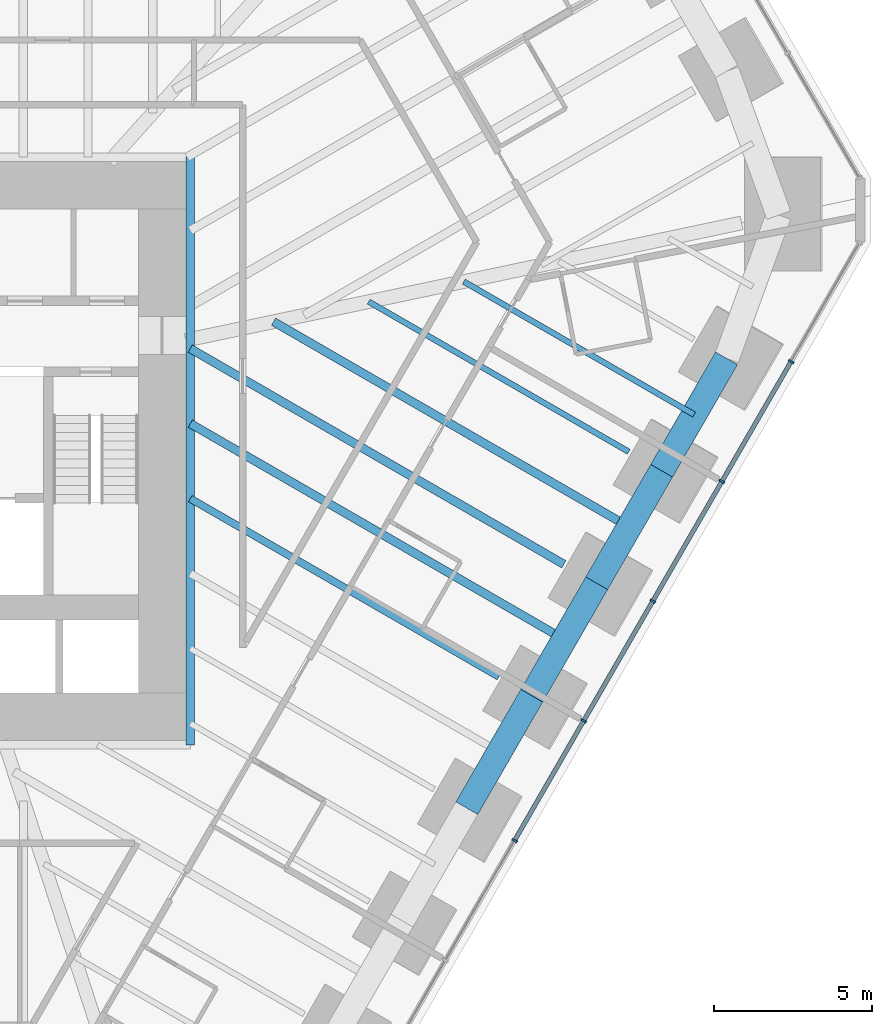
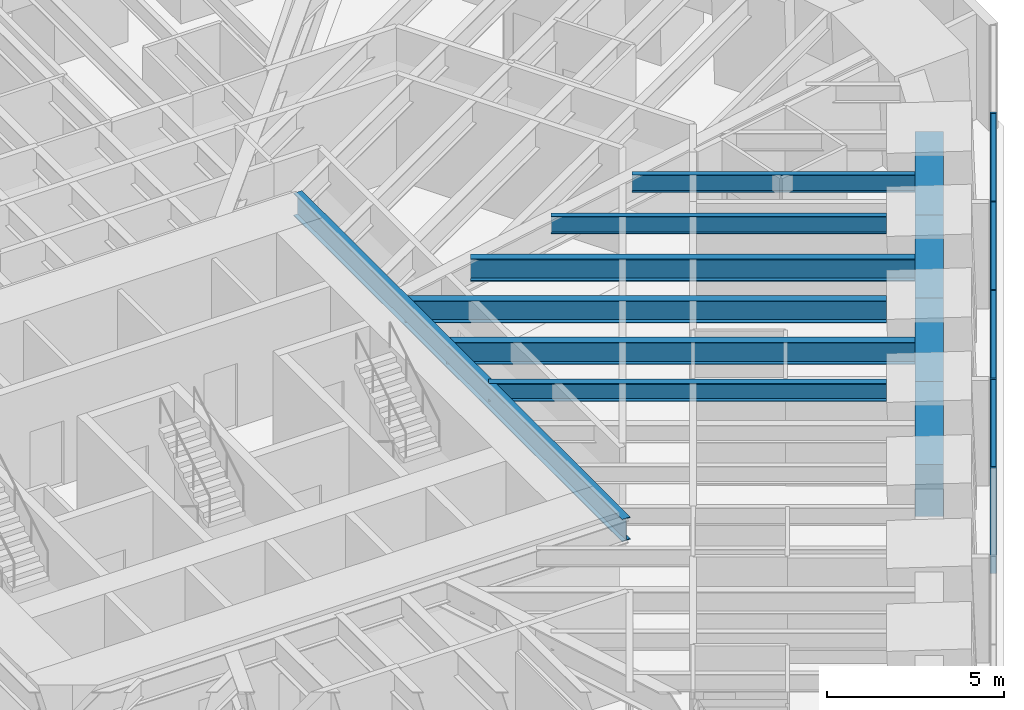
# One storey, part 6 of 17: 11 beams, 9 members, 1 element without a shape of its own.
"""IFC4 building model written with IfcOpenShell, lengths in metres."""

from ifc_helpers import new_model, si_unit, direction, frame, origin, origin_2d, place, context, subcontext, project, spatial, rectangle, i_section, extrude, material, material_profile, profile_set, type_object, element, aggregate, save


model = new_model("IFC4")

# Units and contexts
model_context = context("Model", 3, precision=1e-05, world=origin(), true_north=direction((0.0, 1.0)))
body_context = subcontext(model_context, "Body", "Model", "MODEL_VIEW")
ifc_project = project(units=[si_unit("LENGTHUNIT", "METRE"), si_unit("AREAUNIT", "SQUARE_METRE"), si_unit("VOLUMEUNIT", "CUBIC_METRE"), si_unit("PLANEANGLEUNIT", "RADIAN"), si_unit("MASSUNIT", "GRAM", prefix="KILO")], contexts=[model_context])

# Site, building, storey
site_placement = place(None, origin())
site = spatial("IfcSite", under=ifc_project, at=site_placement, CompositionType="ELEMENT")
building_placement = place(site_placement, origin())
building = spatial("IfcBuilding", under=site, at=building_placement, Name="Sandreach Pilgrim Tower", CompositionType="ELEMENT")
storey_placement = place(building_placement, frame((0.0, 0.0, 68.60009765625)))
storey = spatial("IfcBuildingStorey", under=building, at=storey_placement, Name="L16", CompositionType="ELEMENT", Elevation=68.60009765625)

# Curtain wall, members
ifc_material_1 = material(Name="Aluminium framed curtain wall", Category="aluminium")
curtain_wall_type = type_object("IfcCurtainWallType", Name="Hostel tower curtain wall", PredefinedType="NOTDEFINED", material=ifc_material_1)
curtain_wall_placement = place(storey_placement, origin())
curtain_wall = element("IfcCurtainWall", 1, at=curtain_wall_placement, inside=storey, type_object=curtain_wall_type, Name="CW-1 L16 SE", PredefinedType="NOTDEFINED")
ifc_material_2 = material(Name="Aluminium extrusion", Category="aluminium")
ifc_material_profile_1 = material_profile(ifc_material_2, rectangle(XDim=0.06494140625, YDim=0.179931640625, at=origin_2d()), Name="CW-1M 65X180")
ifc_profile_set_1 = profile_set([ifc_material_profile_1], Name="Aluminium extrusion")
member_type_1 = type_object("IfcMemberType", Name="CW-1 mullion", PredefinedType="MULLION", material=ifc_profile_set_1)
member_1_placement = place(storey_placement, frame((28.390380859375, 1.2763671875, 0.0), z_axis=(0.0, 0.0, 1.0), x_axis=(-0.5, -0.866025403784, 0.0)))
member_1 = element("IfcMember", 2, at=member_1_placement, type_object=member_type_1, Name="CW-1 mullion 2", PredefinedType="MULLION", context=body_context, shape_type="SweptSolid", body=[
    extrude(rectangle(XDim=0.06494140625, YDim=0.179931640625, at=origin_2d()), origin(), (0.0, 0.0, 1.0), 3.639892578125),
])
member_2_placement = place(storey_placement, frame((26.20458984375, -2.509521484375, 0.0), z_axis=(0.0, 0.0, 1.0), x_axis=(-0.5, -0.866025403784, 0.0)))
member_2 = element("IfcMember", 3, at=member_2_placement, type_object=member_type_1, Name="CW-1 mullion 3", PredefinedType="MULLION", context=body_context, shape_type="SweptSolid", body=[
    extrude(rectangle(XDim=0.06494140625, YDim=0.179931640625, at=origin_2d()), origin(), (0.0, 0.0, 1.0), 3.639892578125),
])
member_3_placement = place(storey_placement, frame((24.018798828125, -6.29541015625, 0.0), z_axis=(0.0, 0.0, 1.0), x_axis=(-0.5, -0.866025403784, 0.0)))
member_3 = element("IfcMember", 4, at=member_3_placement, type_object=member_type_1, Name="CW-1 mullion 4", PredefinedType="MULLION", context=body_context, shape_type="SweptSolid", body=[
    extrude(rectangle(XDim=0.06494140625, YDim=0.179931640625, at=origin_2d()), origin(), (0.0, 0.0, 1.0), 3.639892578125),
])
member_4_placement = place(storey_placement, frame((21.8330078125, -10.081298828125, 0.0), z_axis=(0.0, 0.0, 1.0), x_axis=(-0.5, -0.866025403784, 0.0)))
member_4 = element("IfcMember", 5, at=member_4_placement, type_object=member_type_1, Name="CW-1 mullion 5", PredefinedType="MULLION", context=body_context, shape_type="SweptSolid", body=[
    extrude(rectangle(XDim=0.06494140625, YDim=0.179931640625, at=origin_2d()), origin(), (0.0, 0.0, 1.0), 3.639892578125),
])
member_5_placement = place(storey_placement, frame((19.647216796875, -13.8671875, 0.0), z_axis=(0.0, 0.0, 1.0), x_axis=(-0.5, -0.866025403784, 0.0)))
member_5 = element("IfcMember", 6, at=member_5_placement, type_object=member_type_1, Name="CW-1 mullion 6", PredefinedType="MULLION", context=body_context, shape_type="SweptSolid", body=[
    extrude(rectangle(XDim=0.06494140625, YDim=0.179931640625, at=origin_2d()), origin(), (0.0, 0.0, 1.0), 3.639892578125),
])
ifc_material_3 = material(Name="Aluminium extrusion", Category="aluminium")
ifc_material_profile_2 = material_profile(ifc_material_3, rectangle(XDim=0.139892578125, YDim=0.070068359375, at=origin_2d()), Name="CW-1T 140X70")
ifc_profile_set_2 = profile_set([ifc_material_profile_2], Name="Aluminium extrusion")
member_type_2 = type_object("IfcMemberType", Name="CW-1 transom", PredefinedType="USERDEFINED", material=ifc_profile_set_2)
member_6_placement = place(storey_placement, frame((28.374267578125, 1.248046875, 3.60498046875), z_axis=(-0.500016891966, -0.866015650984, 0.0), x_axis=(0.866015650984, -0.500016891966, 0.0)))
member_6 = element("IfcMember", 7, at=member_6_placement, type_object=member_type_2, Name="CW-1 head transom 2", ObjectType="TRANSOM", PredefinedType="USERDEFINED", context=body_context, shape_type="SweptSolid", body=[
    extrude(rectangle(XDim=0.139892578125, YDim=0.070068359375, at=origin_2d()), origin(), (0.0, 0.0, 1.0), 4.306396484375),
])
member_7_placement = place(storey_placement, frame((26.1884765625, -2.537841796875, 3.60498046875), z_axis=(-0.500016891966, -0.866015650984, 0.0), x_axis=(0.866015650984, -0.500016891966, 0.0)))
member_7 = element("IfcMember", 8, at=member_7_placement, type_object=member_type_2, Name="CW-1 head transom 3", ObjectType="TRANSOM", PredefinedType="USERDEFINED", context=body_context, shape_type="SweptSolid", body=[
    extrude(rectangle(XDim=0.139892578125, YDim=0.070068359375, at=origin_2d()), origin(), (0.0, 0.0, 1.0), 4.306396484375),
])
member_8_placement = place(storey_placement, frame((24.002685546875, -6.32373046875, 3.60498046875), z_axis=(-0.500016891966, -0.866015650984, 0.0), x_axis=(0.866015650984, -0.500016891966, 0.0)))
member_8 = element("IfcMember", 9, at=member_8_placement, type_object=member_type_2, Name="CW-1 head transom 4", ObjectType="TRANSOM", PredefinedType="USERDEFINED", context=body_context, shape_type="SweptSolid", body=[
    extrude(rectangle(XDim=0.139892578125, YDim=0.070068359375, at=origin_2d()), origin(), (0.0, 0.0, 1.0), 4.306396484375),
])
member_9_placement = place(storey_placement, frame((21.81689453125, -10.109619140625, 3.60498046875), z_axis=(-0.500016891966, -0.866015650984, 0.0), x_axis=(0.866015650984, -0.500016891966, 0.0)))
member_9 = element("IfcMember", 10, at=member_9_placement, type_object=member_type_2, Name="CW-1 head transom 5", ObjectType="TRANSOM", PredefinedType="USERDEFINED", context=body_context, shape_type="SweptSolid", body=[
    extrude(rectangle(XDim=0.139892578125, YDim=0.070068359375, at=origin_2d()), origin(), (0.0, 0.0, 1.0), 4.306396484375),
])
aggregate(curtain_wall, [member_1, member_2, member_3, member_4, member_5, member_6, member_7, member_8, member_9])

# Beams
ifc_material_4 = material(Name="Steel ASTM A992 Grade 50", Category="steel")
ifc_material_profile_3 = material_profile(ifc_material_4, i_section(OverallWidth=0.2666015625, OverallDepth=0.77978515625, WebThickness=0.0166015625, FlangeThickness=0.030029296875, at=origin_2d()), Name="W30X148")
ifc_profile_set_3 = profile_set([ifc_material_profile_3], Name="Steel ASTM A992 Grade 50")
beam_type_1 = type_object("IfcBeamType", Name="Core edge beam W30X148", PredefinedType="BEAM", material=ifc_profile_set_3)
beam_1_placement = place(storey_placement, frame((9.393310546875, 7.743408203125, 3.25), z_axis=(0.0, -1.0, 0.0), x_axis=(1.0, 0.0, 0.0)))
element("IfcBeam", 11, at=beam_1_placement, inside=storey, type_object=beam_type_1, Name="BM L16 CEE", PredefinedType="BEAM", context=body_context, shape_type="SweptSolid", body=[
    extrude(i_section(OverallWidth=0.2666015625, OverallDepth=0.77978515625, WebThickness=0.0166015625, FlangeThickness=0.030029296875, at=origin_2d()), origin(), (0.0, 0.0, 1.0), 18.586669921875),
])
ifc_material_5 = material(Name="Steel ASTM A992 Grade 50", Category="steel")
ifc_material_profile_4 = material_profile(ifc_material_5, i_section(OverallWidth=0.1787109375, OverallDepth=0.60205078125, WebThickness=0.010986328125, FlangeThickness=0.014892578125, at=origin_2d()), Name="W24X62")
ifc_profile_set_4 = profile_set([ifc_material_profile_4], Name="Steel ASTM A992 Grade 50")
beam_type_2 = type_object("IfcBeamType", Name="Floor beam W24X62", PredefinedType="BEAM", material=ifc_profile_set_4)
beam_2_placement = place(storey_placement, frame((23.259033203125, -1.57470703125, 3.3388671875), z_axis=(-0.866031057196, 0.499990207875, 0.0), x_axis=(-0.499990207875, -0.866031057196, 0.0)))
element("IfcBeam", 12, at=beam_2_placement, inside=storey, type_object=beam_type_2, Name="BM L16 F15", PredefinedType="BEAM", context=body_context, shape_type="SweptSolid", body=[
    extrude(i_section(OverallWidth=0.1787109375, OverallDepth=0.60205078125, WebThickness=0.010986328125, FlangeThickness=0.014892578125, at=origin_2d()), origin(), (0.0, 0.0, 1.0), 9.497802734375),
])
beam_3_placement = place(storey_placement, frame((25.32470703125, -0.396728515625, 3.3388671875), z_axis=(-0.866023174489, 0.500003861233, 0.0), x_axis=(-0.500003861233, -0.866023174489, 0.0)))
element("IfcBeam", 13, at=beam_3_placement, inside=storey, type_object=beam_type_2, Name="BM L16 FM14", PredefinedType="BEAM", context=body_context, shape_type="SweptSolid", body=[
    extrude(i_section(OverallWidth=0.1787109375, OverallDepth=0.60205078125, WebThickness=0.010986328125, FlangeThickness=0.014892578125, at=origin_2d()), origin(), (0.0, 0.0, 1.0), 8.4111328125),
])
ifc_material_6 = material(Name="Steel ASTM A992 Grade 50", Category="steel")
ifc_material_profile_5 = material_profile(ifc_material_6, i_section(OverallWidth=0.23046875, OverallDepth=0.6171875, WebThickness=0.01318359375, FlangeThickness=0.022216796875, at=origin_2d()), Name="W24X94")
ifc_profile_set_5 = profile_set([ifc_material_profile_5], Name="Steel ASTM A992 Grade 50")
beam_type_3 = type_object("IfcBeamType", Name="Floor beam W24X94", PredefinedType="BEAM", material=ifc_profile_set_5)
beam_4_placement = place(storey_placement, frame((19.152587890625, -8.68701171875, 3.331298828125), z_axis=(-0.8660254006, 0.500000005515, 0.0), x_axis=(-0.500000005515, -0.8660254006, 0.0)))
element("IfcBeam", 14, at=beam_4_placement, inside=storey, type_object=beam_type_3, Name="BM L16 F17", PredefinedType="BEAM", context=body_context, shape_type="SweptSolid", body=[
    extrude(i_section(OverallWidth=0.23046875, OverallDepth=0.6171875, WebThickness=0.01318359375, FlangeThickness=0.022216796875, at=origin_2d()), origin(), (0.0, 0.0, 1.0), 11.26904296875),
])
ifc_material_7 = material(Name="Steel ASTM A992 Grade 50", Category="steel")
ifc_material_profile_6 = material_profile(ifc_material_7, i_section(OverallWidth=0.2666015625, OverallDepth=0.761962890625, WebThickness=0.014404296875, FlangeThickness=0.021484375, at=origin_2d()), Name="W30X116")
ifc_profile_set_6 = profile_set([ifc_material_profile_6], Name="Steel ASTM A992 Grade 50")
beam_type_4 = type_object("IfcBeamType", Name="Floor beam W30X116", PredefinedType="BEAM", material=ifc_profile_set_6)
beam_5_placement = place(storey_placement, frame((21.205810546875, -5.130859375, 3.2587890625), z_axis=(-0.866029398571, 0.499993080764, 0.0), x_axis=(-0.499993080764, -0.866029398571, 0.0)))
element("IfcBeam", 15, at=beam_5_placement, inside=storey, type_object=beam_type_4, Name="BM L16 F16", PredefinedType="BEAM", context=body_context, shape_type="SweptSolid", body=[
    extrude(i_section(OverallWidth=0.2666015625, OverallDepth=0.761962890625, WebThickness=0.014404296875, FlangeThickness=0.021484375, at=origin_2d()), origin(), (0.0, 0.0, 1.0), 13.639892578125),
])
beam_6_placement = place(storey_placement, frame((23.271728515625, -3.952880859375, 3.2587890625), z_axis=(-0.866022136417, 0.500005659204, 0.0), x_axis=(-0.500005659204, -0.866022136417, 0.0)))
element("IfcBeam", 16, at=beam_6_placement, inside=storey, type_object=beam_type_4, Name="BM L16 FM15", PredefinedType="BEAM", context=body_context, shape_type="SweptSolid", body=[
    extrude(i_section(OverallWidth=0.2666015625, OverallDepth=0.761962890625, WebThickness=0.014404296875, FlangeThickness=0.021484375, at=origin_2d()), origin(), (0.0, 0.0, 1.0), 12.984130859375),
])
beam_7_placement = place(storey_placement, frame((21.218505859375, -7.509033203125, 3.2587890625), z_axis=(-0.866021824093, 0.500006200156, 0.0), x_axis=(-0.500006200156, -0.866021824093, 0.0)))
element("IfcBeam", 17, at=beam_7_placement, inside=storey, type_object=beam_type_4, Name="BM L16 FM16", PredefinedType="BEAM", context=body_context, shape_type="SweptSolid", body=[
    extrude(i_section(OverallWidth=0.2666015625, OverallDepth=0.761962890625, WebThickness=0.014404296875, FlangeThickness=0.021484375, at=origin_2d()), origin(), (0.0, 0.0, 1.0), 13.654541015625),
])
ifc_material_8 = material(Name="Concrete 10000 psi", Category="concrete")
ifc_material_profile_7 = material_profile(ifc_material_8, rectangle(XDim=0.800048828125, YDim=1.800048828125, at=origin_2d()), Name="RC800X1800")
ifc_profile_set_7 = profile_set([ifc_material_profile_7], Name="Concrete 10000 psi")
beam_type_5 = type_object("IfcBeamType", Name="Spandrel beam RC800X1800", PredefinedType="SPANDREL", material=ifc_profile_set_7)
beam_8_placement = place(storey_placement, frame((26.351318359375, 1.38134765625, 2.739990234375), z_axis=(-0.499969497581, -0.866043013648, 0.0), x_axis=(0.866043013648, -0.499969497581, 0.0)))
element("IfcBeam", 18, at=beam_8_placement, inside=storey, type_object=beam_type_5, Name="BM L16 SP14", PredefinedType="SPANDREL", context=body_context, shape_type="SweptSolid", body=[
    extrude(rectangle(XDim=0.800048828125, YDim=1.800048828125, at=origin_2d()), origin(), (0.0, 0.0, 1.0), 4.106201171875),
])
for number, where, z_axis, x_axis, name in (
    (19, (24.29833984375, -2.1748046875, 2.739990234375), (-0.500014089762, -0.866017268904, 0.0), (0.866017268904, -0.500014089762, 0.0), "BM L16 SP15"),
    (20, (22.2451171875, -5.73095703125, 2.739990234375), (-0.500014089762, -0.866017268904, 0.0), (0.866017268904, -0.500014089762, 0.0), "BM L16 SP16"),
    (21, (20.19189453125, -9.287109375, 2.739990234375), (-0.500014089762, -0.866017268904, 0.0), (0.866017268904, -0.500014089762, 0.0), "BM L16 SP17"),
):
    element("IfcBeam", number, at=place(storey_placement, frame(where, z_axis=z_axis, x_axis=x_axis)), inside=storey, type_object=beam_type_5, Name=name, PredefinedType="SPANDREL", context=body_context, shape_type="SweptSolid", body=[
        extrude(rectangle(XDim=0.800048828125, YDim=1.800048828125, at=origin_2d()), origin(), (0.0, 0.0, 1.0), 4.1064453125),
    ])

save(model, "model.ifc")
